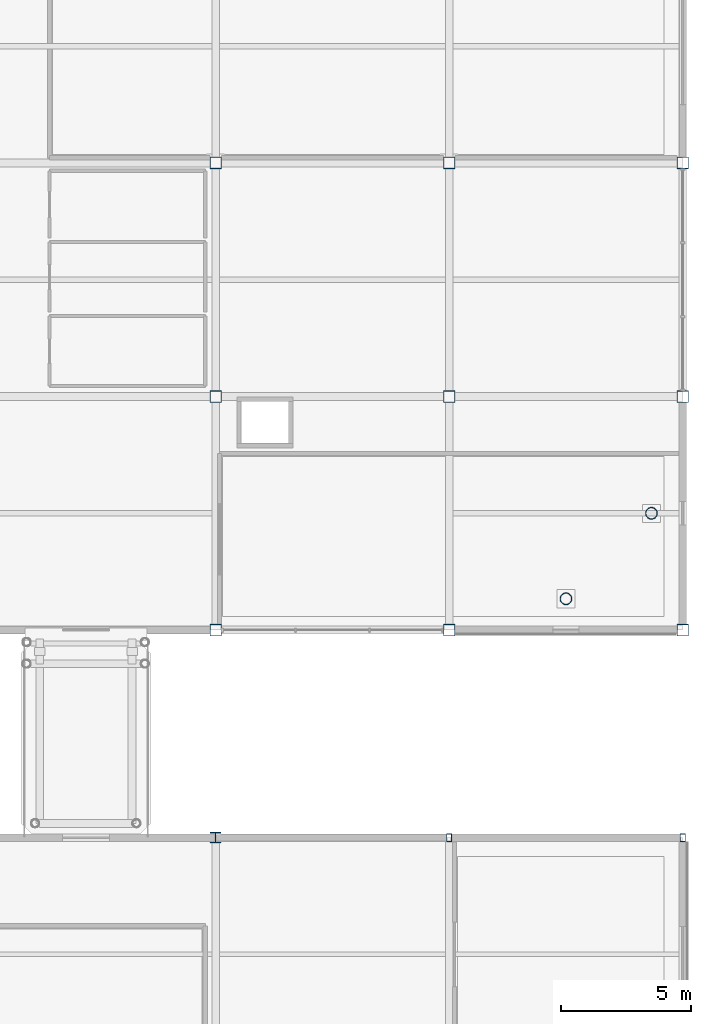
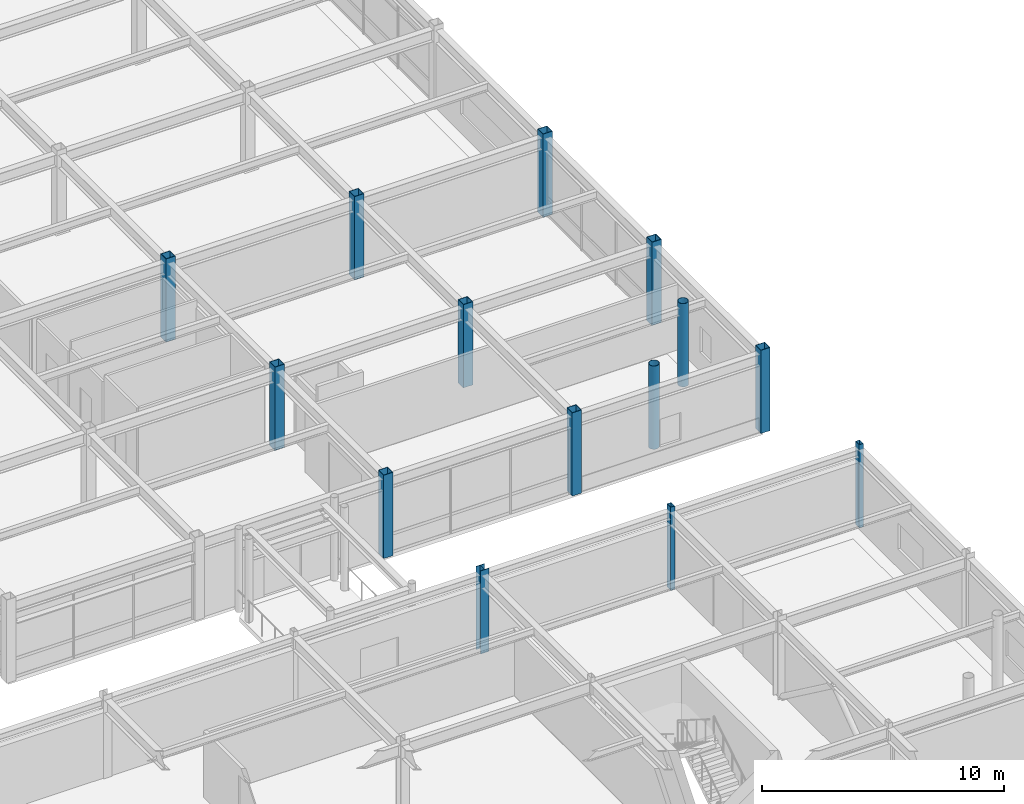
# One storey, part 19 of 105: 14 columns.
"""IFC4 building model written with IfcOpenShell, lengths in metres."""

from ifc_helpers import new_model, si_unit, direction, frame, origin, origin_2d, place, context, subcontext, project, spatial, hollow_rectangle, hollow_circle, i_section, extrude, material, material_profile, profile_set, type_object, element, save


model = new_model("IFC4")

# Units and contexts
model_context = context("Model", 3, precision=1e-05, world=origin(), true_north=direction((0.0, 1.0)))
body_context = subcontext(model_context, "Body", "Model", "MODEL_VIEW")
ifc_project = project(units=[si_unit("LENGTHUNIT", "METRE"), si_unit("AREAUNIT", "SQUARE_METRE"), si_unit("VOLUMEUNIT", "CUBIC_METRE"), si_unit("PLANEANGLEUNIT", "RADIAN"), si_unit("MASSUNIT", "GRAM", prefix="KILO")], contexts=[model_context])

# Site, building, storey
site_placement = place(None, origin())
site = spatial("IfcSite", under=ifc_project, at=site_placement, CompositionType="ELEMENT")
building_placement = place(site_placement, origin())
building = spatial("IfcBuilding", under=site, at=building_placement, Name="Suzunagisa Mobility Hub", CompositionType="ELEMENT")
storey_placement = place(building_placement, frame((0.0, 0.0, 5.10009765625)))
storey = spatial("IfcBuildingStorey", under=building, at=storey_placement, Name="L01", CompositionType="ELEMENT", Elevation=5.10009765625)

# Columns
ifc_material = material(Name="Steel SN490B", Category="steel")
ifc_material_profile_1 = material_profile(ifc_material, hollow_circle(Radius=0.228515625, WallThickness=0.01611328125, at=origin_2d()), Name="CHS-457.2x16.0")
ifc_profile_set_1 = profile_set([ifc_material_profile_1], Name="Steel SN490B")
column_type_1 = type_object("IfcColumnType", Name="Steel Column CL-08 CHS-457.2x16.0", PredefinedType="COLUMN", material=ifc_profile_set_1)
for number, where, z_axis, x_axis, name in (
    (1, (175.5, 45.205810546875, 0.0), (0.0, 0.0, 1.0), (1.0, 0.0, 0.0), "L01 Column 312"),
    (2, (178.794189453125, 48.5, 0.0), (0.0, 0.0, 1.0), (1.0, 0.0, 0.0), "L01 Column 318"),
):
    element("IfcColumn", number, at=place(storey_placement, frame(where, z_axis=z_axis, x_axis=x_axis)), inside=storey, type_object=column_type_1, Name=name, PredefinedType="COLUMN", context=body_context, shape_type="SweptSolid", body=[
        extrude(hollow_circle(Radius=0.228515625, WallThickness=0.01611328125, at=origin_2d()), origin(), (0.0, 0.0, 1.0), 4.199951171875),
    ])
ifc_material_profile_2 = material_profile(ifc_material, i_section(OverallWidth=0.39990234375, OverallDepth=0.39990234375, WebThickness=0.012939453125, FlangeThickness=0.02099609375, FilletRadius=0.01611328125, at=origin_2d()), Name="H-400x400x13x21")
ifc_profile_set_2 = profile_set([ifc_material_profile_2], Name="Steel SN490B")
column_type_2 = type_object("IfcColumnType", Name="Steel Column CL-10 H-400x400x13x21", PredefinedType="COLUMN", material=ifc_profile_set_2)
column_placement = place(storey_placement, frame((162.0, 36.0, 0.0), z_axis=(0.0, 0.0, 1.0), x_axis=(1.0, 0.0, 0.0)))
element("IfcColumn", 3, at=column_placement, inside=storey, type_object=column_type_2, Name="L01 Column 287", PredefinedType="COLUMN", context=body_context, shape_type="SweptSolid", body=[
    extrude(i_section(OverallWidth=0.39990234375, OverallDepth=0.39990234375, WebThickness=0.012939453125, FlangeThickness=0.02099609375, FilletRadius=0.01611328125, at=origin_2d()), origin(), (0.0, 0.0, 1.0), 4.199951171875),
])
ifc_material_profile_3 = material_profile(ifc_material, hollow_rectangle(XDim=0.199951171875, YDim=0.300048828125, WallThickness=0.011962890625, at=origin_2d()), Name="RHS-300x200x12")
ifc_profile_set_3 = profile_set([ifc_material_profile_3], Name="Steel SN490B")
column_type_3 = type_object("IfcColumnType", Name="Steel Column CL-15 RHS-300x200x12", PredefinedType="COLUMN", material=ifc_profile_set_3)
for number, where, z_axis, x_axis, name in (
    (4, (171.0, 36.0, 0.0), (0.0, 0.0, 1.0), (1.0, 0.0, 0.0), "L01 Column 300"),
    (5, (180.0, 36.0, 0.0), (0.0, 0.0, 1.0), (1.0, 0.0, 0.0), "L01 Column 324"),
):
    element("IfcColumn", number, at=place(storey_placement, frame(where, z_axis=z_axis, x_axis=x_axis)), inside=storey, type_object=column_type_3, Name=name, PredefinedType="COLUMN", context=body_context, shape_type="SweptSolid", body=[
        extrude(hollow_rectangle(XDim=0.199951171875, YDim=0.300048828125, WallThickness=0.011962890625, at=origin_2d()), origin(), (0.0, 0.0, 1.0), 4.199951171875),
    ])
ifc_material_profile_4 = material_profile(ifc_material, hollow_rectangle(XDim=0.449951171875, YDim=0.449951171875, WallThickness=0.02197265625, at=origin_2d()), Name="BCR-450x450x22")
ifc_profile_set_4 = profile_set([ifc_material_profile_4], Name="Steel SN490B")
column_type_4 = type_object("IfcColumnType", Name="Steel Column CL-17 BCR-450x450x22", PredefinedType="COLUMN", material=ifc_profile_set_4)
for number, where, z_axis, x_axis, name in (
    (6, (162.0, 44.0, 0.0), (0.0, 0.0, 1.0), (1.0, 0.0, 0.0), "L01 Column 288"),
    (7, (162.0, 53.0, 0.0), (0.0, 0.0, 1.0), (1.0, 0.0, 0.0), "L01 Column 289"),
    (8, (162.0, 62.0, 0.0), (0.0, 0.0, 1.0), (1.0, 0.0, 0.0), "L01 Column 290"),
    (9, (171.0, 44.0, 0.0), (0.0, 0.0, 1.0), (1.0, 0.0, 0.0), "L01 Column 301"),
    (10, (171.0, 53.0, 0.0), (0.0, 0.0, 1.0), (1.0, 0.0, 0.0), "L01 Column 302"),
    (11, (171.0, 62.0, 0.0), (0.0, 0.0, 1.0), (1.0, 0.0, 0.0), "L01 Column 303"),
    (12, (180.0, 44.0, 0.0), (0.0, 0.0, 1.0), (1.0, 0.0, 0.0), "L01 Column 325"),
    (13, (180.0, 53.0, 0.0), (0.0, 0.0, 1.0), (1.0, 0.0, 0.0), "L01 Column 326"),
    (14, (180.0, 62.0, 0.0), (0.0, 0.0, 1.0), (1.0, 0.0, 0.0), "L01 Column 327"),
):
    element("IfcColumn", number, at=place(storey_placement, frame(where, z_axis=z_axis, x_axis=x_axis)), inside=storey, type_object=column_type_4, Name=name, PredefinedType="COLUMN", context=body_context, shape_type="SweptSolid", body=[
        extrude(hollow_rectangle(XDim=0.449951171875, YDim=0.449951171875, WallThickness=0.02197265625, at=origin_2d()), origin(), (0.0, 0.0, 1.0), 4.199951171875),
    ])

save(model, "model.ifc")
